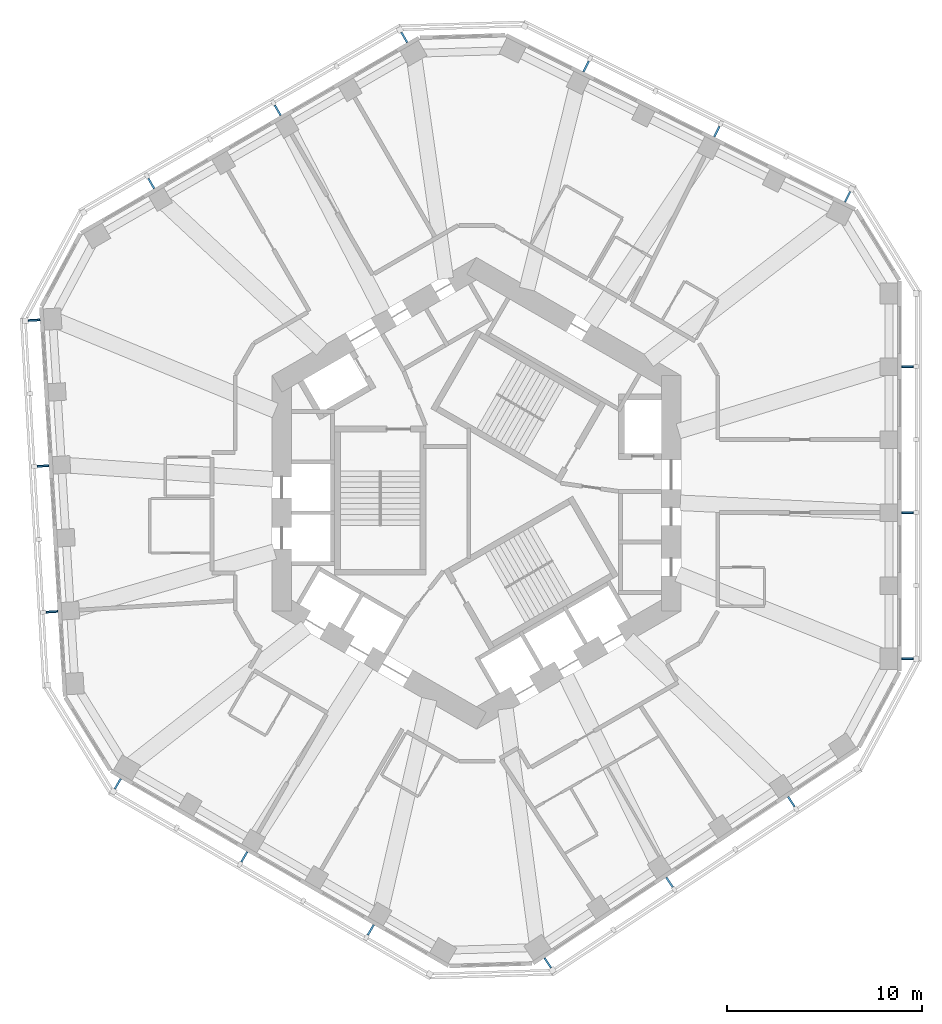
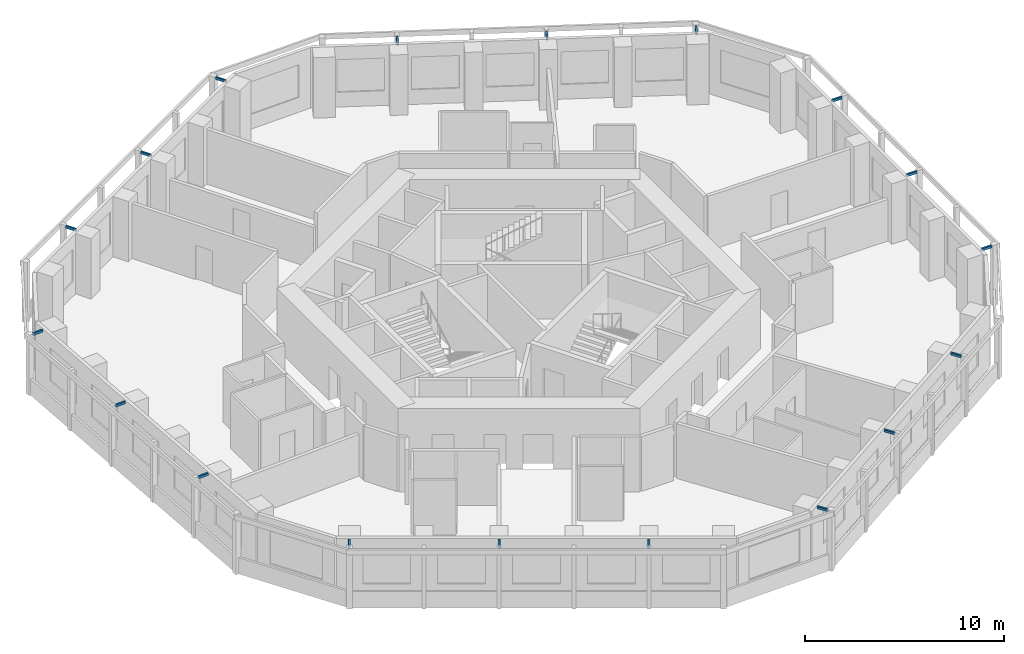
# One storey, part 10 of 11: 18 discrete accessories.
"""IFC4 building model written with IfcOpenShell, lengths in metres."""

import ifcopenshell
import ifcopenshell.guid

model = None  # the IFC model being written
_history = None  # IfcOwnerHistory: only IFC2X3 demands one
_inside = {}  # id of a spatial element -> (the spatial element, [elements in it])
_under = {}  # id of a project, library or spatial element -> (it, [spatial elements below it])
_declared = {}  # id of a project -> (the project, [libraries it declares])
_typed = {}  # id of a type object -> (the type object, [elements of that type])
_made_of = {}  # id of a material, layer set ... -> (it, [elements and type objects made of it])


def new_model(schema):
    """Start an empty IFC model of exactly this schema.

    Asked for "IFC4X3", IfcOpenShell would pick the latest addendum, in which some entities
    have other attributes; the version numbers below select the first issue.
    IFC2X3 requires an IfcOwnerHistory on every rooted entity: one is made here for all.
    """
    global model, _history
    if schema == "IFC4X3":
        model = ifcopenshell.file(schema_version=(4, 3, 0, 0))
    else:
        model = ifcopenshell.file(schema=schema)
    _inside.clear()
    _under.clear()
    _declared.clear()
    _typed.clear()
    _made_of.clear()
    _history = None
    if model.schema == "IFC2X3":
        org = make("IfcOrganization", Name="unknown")
        user = make(
            "IfcPersonAndOrganization",
            ThePerson=make("IfcPerson", FamilyName="unknown"),
            TheOrganization=org,
        )
        app = make(
            "IfcApplication",
            ApplicationDeveloper=org,
            Version="unknown",
            ApplicationFullName="unknown",
            ApplicationIdentifier="unknown",
        )
        _history = make(
            "IfcOwnerHistory",
            OwningUser=user,
            OwningApplication=app,
            ChangeAction="ADDED",
            CreationDate=0,
        )
    return model


def make(cls, **values):
    """One entity of the class cls with the attributes given. An attribute that is None is left unset."""
    return model.create_entity(
        cls, **{name: value for name, value in values.items() if value is not None}
    )


def rooted(cls, **values):
    """An entity with a GlobalId (a new one), such as an element, a storey or a relation."""
    return make(cls, GlobalId=ifcopenshell.guid.new(), OwnerHistory=_history, **values)


def si_unit(unit_type, name, prefix=None):
    """IfcSIUnit, for example si_unit("LENGTHUNIT", "METRE", prefix="MILLI")."""
    return make("IfcSIUnit", UnitType=unit_type, Prefix=prefix, Name=name)


def assignment(units):
    """IfcUnitAssignment: the units of a project."""
    return None if units is None else make("IfcUnitAssignment", Units=units)


def point(xyz):
    """IfcCartesianPoint."""
    return None if xyz is None else make("IfcCartesianPoint", Coordinates=xyz)


def direction(xyz):
    """IfcDirection."""
    return None if xyz is None else make("IfcDirection", DirectionRatios=xyz)


def frame(location, z_axis=None, x_axis=None):
    """IfcAxis2Placement3D, a coordinate frame: its origin and axes. An axis left out is left unset."""
    return make(
        "IfcAxis2Placement3D",
        Location=point(location),
        Axis=direction(z_axis),
        RefDirection=direction(x_axis),
    )


def frame_2d(location, x_axis=None):
    """IfcAxis2Placement2D, a coordinate frame in the plane: its origin and x axis."""
    return make(
        "IfcAxis2Placement2D", Location=point(location), RefDirection=direction(x_axis)
    )


def origin():
    """The frame at (0, 0, 0) with its axes left unset."""
    return frame((0.0, 0.0, 0.0))


def origin_2d():
    """The frame at (0, 0) in the plane with its x axis left unset."""
    return frame_2d((0.0, 0.0))


def place(relative_to, where):
    """IfcLocalPlacement: puts the frame where relative to a parent placement (None: the world)."""
    return make(
        "IfcLocalPlacement", PlacementRelTo=relative_to, RelativePlacement=where
    )


def context(
    kind, dimensions, precision=None, world=None, true_north=None, identifier=None
):
    """IfcGeometricRepresentationContext, for example the 3D "Model" context."""
    return make(
        "IfcGeometricRepresentationContext",
        ContextIdentifier=identifier,
        ContextType=kind,
        CoordinateSpaceDimension=dimensions,
        Precision=precision,
        WorldCoordinateSystem=world,
        TrueNorth=true_north,
    )


def subcontext(parent, identifier, kind, view, scale=None):
    """IfcGeometricRepresentationSubContext, for example "Body" below "Model"."""
    return make(
        "IfcGeometricRepresentationSubContext",
        ContextIdentifier=identifier,
        ContextType=kind,
        ParentContext=parent,
        TargetScale=scale,
        TargetView=view,
    )


def project(units=None, contexts=None):
    """IfcProject with its units and contexts."""
    return rooted(
        "IfcProject",
        Name="project",
        RepresentationContexts=contexts,
        UnitsInContext=assignment(units),
    )


def spatial(cls, under=None, at=None, **own):
    """A site, building, storey or space (cls), placed at a placement, below another one or the project."""
    s = rooted(cls, ObjectPlacement=at, **own)
    if under is not None:
        _under.setdefault(under.id(), (under, []))[1].append(s)
    return s


def profile(cls, at=None, kind="AREA", **sizes):
    """A parametric profile (cls). Its sizes go by their IFC names, for example OverallWidth=200.0."""
    return make(cls, ProfileType=kind, Position=at, **sizes)


def rectangle(**sizes):
    """IfcRectangleProfileDef."""
    return profile("IfcRectangleProfileDef", **sizes)


def extrude(swept, where, along, depth):
    """IfcExtrudedAreaSolid: the profile swept, set in the frame where, extruded along a direction by depth."""
    return make(
        "IfcExtrudedAreaSolid",
        SweptArea=swept,
        Position=where,
        ExtrudedDirection=direction(along),
        Depth=depth,
    )


def shape(context_of_items, identifier, shape_type, items):
    """IfcShapeRepresentation: the items that make up one representation, for example the "Body"."""
    return make(
        "IfcShapeRepresentation",
        ContextOfItems=context_of_items,
        RepresentationIdentifier=identifier,
        RepresentationType=shape_type,
        Items=items,
    )


def material(Name=None, Category=None):
    """IfcMaterial."""
    return make("IfcMaterial", Name=Name, Category=Category)


def made_of(thing, what):
    """Note that an element or type object is made of a material, layer set ...; save() writes the relation."""
    if what is not None:
        _made_of.setdefault(what.id(), (what, []))[1].append(thing)
    return thing


def type_object(cls, material=None, **own):
    """A type object (cls), such as IfcWallType, which elements share."""
    return made_of(rooted(cls, **own), material)


def element(
    cls,
    number,
    at=None,
    inside=None,
    cuts=None,
    type_object=None,
    material=None,
    context=None,
    identifier="Body",
    shape_type=None,
    held_by="IfcProductDefinitionShape",
    body=None,
    shapes=None,
    **own,
):
    """One element of the class cls, such as IfcWall. Its Tag is "e" and its number.

    at: its placement. inside: the storey or other place that contains it. cuts: it is an
    opening in that element (IfcRelVoidsElement). A single representation is given by context,
    identifier, shape_type and body (its items); several are given by shapes. held_by: the class
    of the entity that holds the representations. save() writes the other relations.
    """
    e = rooted(cls, Tag="e%d" % number, ObjectPlacement=at, **own)
    if body is not None:
        shapes = [shape(context, identifier, shape_type, body)]
    if shapes is not None:
        e.Representation = make(held_by, Representations=shapes)
    if inside is not None:
        _inside.setdefault(inside.id(), (inside, []))[1].append(e)
    if cuts is not None:
        rooted(
            "IfcRelVoidsElement", RelatingBuildingElement=cuts, RelatedOpeningElement=e
        )
    if type_object is not None:
        _typed.setdefault(type_object.id(), (type_object, []))[1].append(e)
    return made_of(e, material)


def aggregate(whole, parts):
    """IfcRelAggregates: a whole, such as a stair, and the parts it consists of."""
    return rooted("IfcRelAggregates", RelatingObject=whole, RelatedObjects=parts)


def save(model, path):
    """Write the relations noted so far, then the file.

    IfcRelAggregates (storeys below a building ...), IfcRelContainedInSpatialStructure (elements
    in a storey), IfcRelDefinesByType, IfcRelAssociatesMaterial and IfcRelDeclares: one each for
    every whole, place, type object, material and project.
    """
    for whole, parts in _under.values():
        aggregate(whole, parts)
    for where, things in _inside.values():
        rooted(
            "IfcRelContainedInSpatialStructure",
            RelatedElements=things,
            RelatingStructure=where,
        )
    for kind, things in _typed.values():
        rooted("IfcRelDefinesByType", RelatedObjects=things, RelatingType=kind)
    for what, things in _made_of.values():
        rooted("IfcRelAssociatesMaterial", RelatedObjects=things, RelatingMaterial=what)
    for by, libraries in _declared.values():
        rooted("IfcRelDeclares", RelatingContext=by, RelatedDefinitions=libraries)
    model.write(path)


model = new_model("IFC4")

# Units and contexts
model_context = context("Model", 3, precision=1e-05, world=origin(), true_north=direction((0.0, 1.0)))
body_context = subcontext(model_context, "Body", "Model", "MODEL_VIEW")
ifc_project = project(units=[si_unit("LENGTHUNIT", "METRE"), si_unit("AREAUNIT", "SQUARE_METRE"), si_unit("VOLUMEUNIT", "CUBIC_METRE"), si_unit("PLANEANGLEUNIT", "RADIAN"), si_unit("MASSUNIT", "GRAM", prefix="KILO")], contexts=[model_context])

# Site, building, storey
site_placement = place(None, origin())
site = spatial("IfcSite", under=ifc_project, at=site_placement, CompositionType="ELEMENT")
building_placement = place(site_placement, origin())
building = spatial("IfcBuilding", under=site, at=building_placement, Name="Vanh Sen Convention Tower", CompositionType="ELEMENT")
storey_placement = place(building_placement, frame((0.0, 0.0, 202.10009765625)))
storey = spatial("IfcBuildingStorey", under=building, at=storey_placement, Name="L50", CompositionType="ELEMENT", Elevation=202.10009765625)

# Discrete accessories
ifc_material = material(Name="Steel S355", Category="steel")
discrete_accessory_type = type_object("IfcDiscreteAccessoryType", Name="Fin bracket 100 x 150", PredefinedType="BRACKET", material=ifc_material)
for number, where, z_axis, x_axis, name in (
    (1, (22.14990234375, -8.5009765625, 3.5), (0.0, 0.0, 1.0), (1.0, 0.0, 0.0), "Fin bracket E-1 L50"),
    (2, (22.14990234375, -0.992919921875, 3.5), (0.0, 0.0, 1.0), (1.0, 0.0, 0.0), "Fin bracket E-3 L50"),
    (3, (22.14990234375, 6.515380859375, 3.5), (0.0, 0.0, 1.0), (1.0, 0.0, 0.0), "Fin bracket E-5 L50"),
    (4, (19.073974609375, 15.240478515625, 3.5), (0.0, 0.0, 1.0), (0.44619781311, 0.894934361602, 0.0), "Fin bracket NE-1 L50"),
    (5, (12.3544921875, 18.5908203125, 3.5), (0.0, 0.0, 1.0), (0.44619781311, 0.894934361602, 0.0), "Fin bracket NE-3 L50"),
    (6, (5.635009765625, 21.94091796875, 3.5), (0.0, 0.0, 1.0), (0.44619781311, 0.894934361602, 0.0), "Fin bracket NE-5 L50"),
    (7, (-3.712890625, 23.432861328125, 3.5), (0.0, 0.0, 1.0), (-0.5, 0.866025403784, 0.0), "Fin bracket NW-1 L50"),
    (8, (-10.215087890625, 19.6787109375, 3.5), (0.0, 0.0, 1.0), (-0.5, 0.866025403784, 0.0), "Fin bracket NW-3 L50"),
    (9, (-16.717529296875, 15.9248046875, 3.5), (0.0, 0.0, 1.0), (-0.5, 0.866025403784, 0.0), "Fin bracket NW-5 L50"),
    (10, (-22.735595703125, 8.898193359375, 3.5), (0.0, 0.0, 1.0), (-0.998134798422, -0.061048539535, 0.0), "Fin bracket W-1 L50"),
    (11, (-22.277099609375, 1.40380859375, 3.5), (0.0, 0.0, 1.0), (-0.998134798422, -0.061048539535, 0.0), "Fin bracket W-3 L50"),
    (12, (-21.81884765625, -6.09033203125, 3.5), (0.0, 0.0, 1.0), (-0.998134798422, -0.061048539535, 0.0), "Fin bracket W-5 L50"),
    (13, (-18.43701171875, -14.931884765625, 3.5), (0.0, 0.0, 1.0), (-0.5, -0.866025403784, 0.0), "Fin bracket SW-1 L50"),
    (14, (-11.934814453125, -18.68603515625, 3.5), (0.0, 0.0, 1.0), (-0.5, -0.866025403784, 0.0), "Fin bracket SW-3 L50"),
    (15, (-5.4326171875, -22.440185546875, 3.5), (0.0, 0.0, 1.0), (-0.5, -0.866025403784, 0.0), "Fin bracket SW-5 L50"),
    (16, (3.66162109375, -24.138671875, 3.5), (0.0, 0.0, 1.0), (0.551936985312, -0.833885822067, 0.0), "Fin bracket SE-1 L50"),
    (17, (9.922607421875, -19.99462890625, 3.5), (0.0, 0.0, 1.0), (0.551936985312, -0.833885822067, 0.0), "Fin bracket SE-3 L50"),
    (18, (16.18359375, -15.8505859375, 3.5), (0.0, 0.0, 1.0), (0.551936985312, -0.833885822067, 0.0), "Fin bracket SE-5 L50"),
):
    element("IfcDiscreteAccessory", number, at=place(storey_placement, frame(where, z_axis=z_axis, x_axis=x_axis)), inside=storey, type_object=discrete_accessory_type, Name=name, PredefinedType="BRACKET", context=body_context, shape_type="SweptSolid", body=[
        extrude(rectangle(XDim=0.60009765625, YDim=0.10009765625, at=origin_2d()), origin(), (0.0, 0.0, 1.0), 0.14990234375),
    ])

save(model, "model.ifc")
